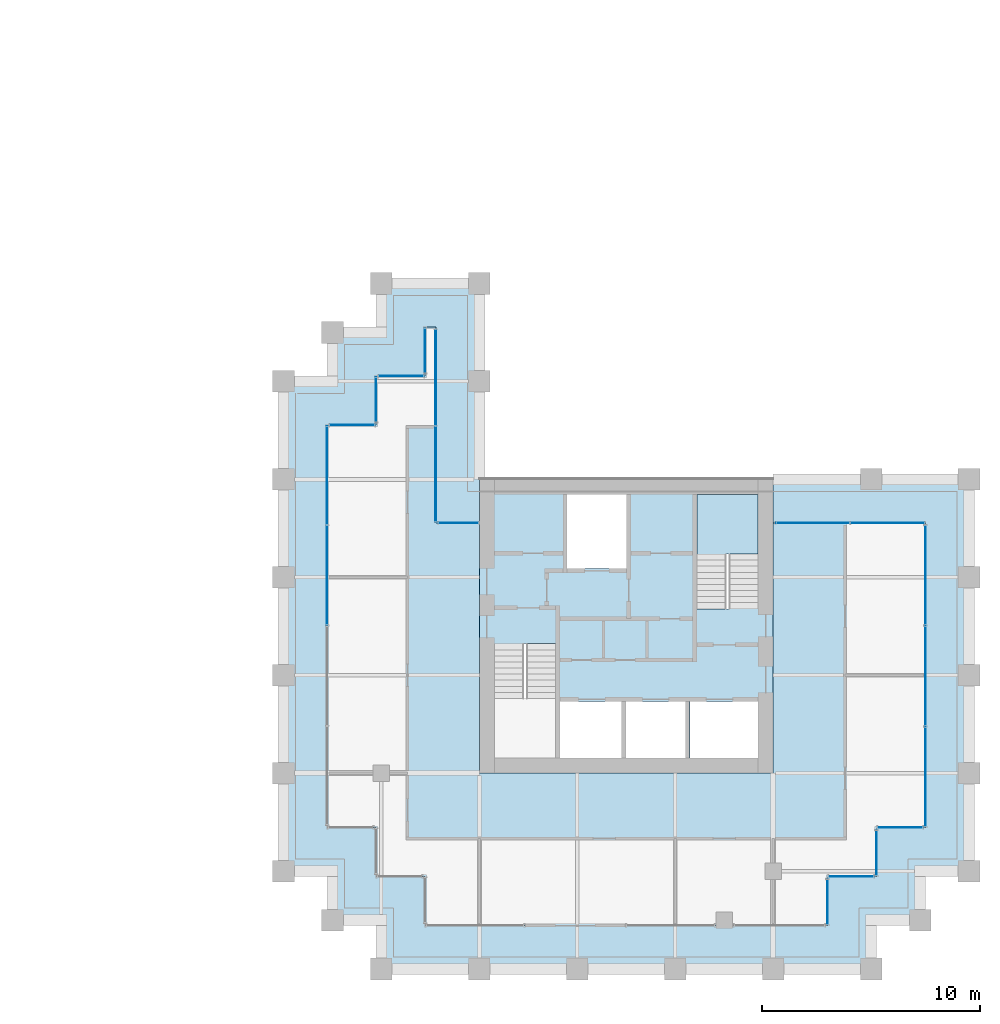
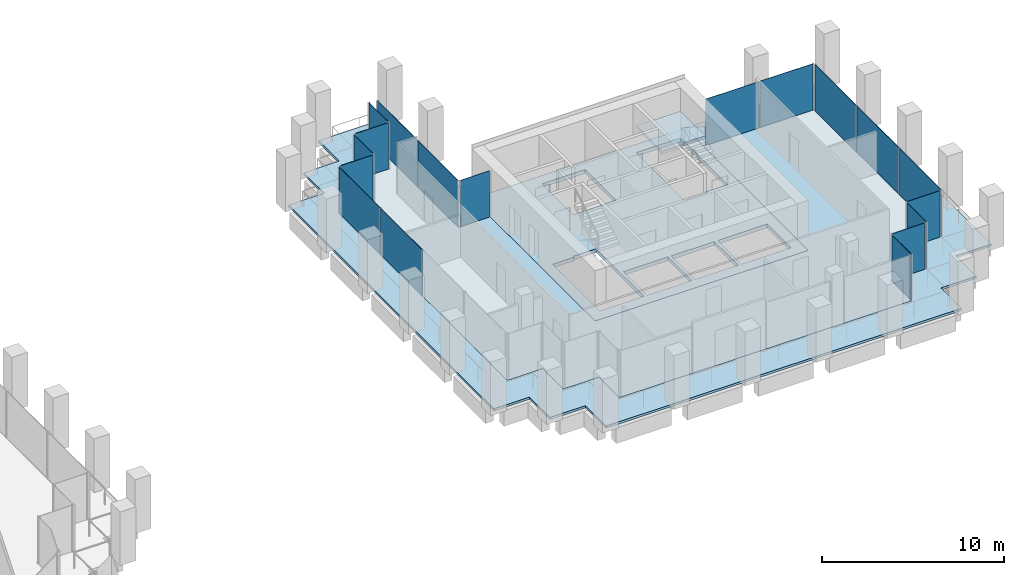
# One storey, part 40 of 46: 18 plates, 4 slabs, 14 elements without a shape of their own.
"""IFC4 building model written with IfcOpenShell, lengths in metres."""

from ifc_helpers import new_model, si_unit, direction, frame, origin, origin_2d, place, context, subcontext, project, spatial, polyline, rectangle, outline, extrude, material, layer, layer_set, type_object, element, aggregate, save


model = new_model("IFC4")

# Units and contexts
model_context = context("Model", 3, precision=1e-05, world=origin(), true_north=direction((0.0, 1.0)))
body_context = subcontext(model_context, "Body", "Model", "MODEL_VIEW")
ifc_project = project(units=[si_unit("LENGTHUNIT", "METRE"), si_unit("AREAUNIT", "SQUARE_METRE"), si_unit("VOLUMEUNIT", "CUBIC_METRE"), si_unit("PLANEANGLEUNIT", "RADIAN"), si_unit("MASSUNIT", "GRAM", prefix="KILO")], contexts=[model_context])

# Site, building, storey
site_placement = place(None, origin())
site = spatial("IfcSite", under=ifc_project, at=site_placement, CompositionType="ELEMENT")
building_placement = place(site_placement, origin())
building = spatial("IfcBuilding", under=site, at=building_placement, Name="Altepetl Exchange Towers", CompositionType="ELEMENT")
storey_placement = place(building_placement, frame((0.0, 0.0, 124.39990234375)))
storey = spatial("IfcBuildingStorey", under=building, at=storey_placement, Name="L30", CompositionType="ELEMENT", Elevation=124.39990234375)

# Slabs
ifc_material_1 = material(Name="Concrete C40/50", Category="concrete")
ifc_layer_1 = layer(ifc_material_1, 0.14990234375)
ifc_layer_set_1 = layer_set([ifc_layer_1], Name="Concrete C40/50")
slab_type_1 = type_object("IfcSlabType", Name="Composite floor slab 150", PredefinedType="FLOOR", material=ifc_layer_set_1)
slab_1_placement = place(storey_placement, frame((0.0, 0.0, -0.14990234375)))
element("IfcSlab", 1, at=slab_1_placement, inside=storey, type_object=slab_type_1, Name="slab:B:L30:strip0", PredefinedType="FLOOR", context=body_context, shape_type="SweptSolid", body=[
    extrude(outline(polyline([(98.75, 54.25), (98.75, 52.0), (96.5, 52.0), (96.5, 33.5), (98.75, 33.5), (98.75, 31.25), (101.0, 31.25), (101.0, 29.0), (119.5, 29.0), (119.5, 31.25), (121.75, 31.25), (121.75, 33.5), (124.0, 33.5), (124.0, 47.5), (117.0, 47.5), (117.0, 36.0), (103.5, 36.0), (103.5, 47.5), (101.5, 47.5), (101.5, 56.5), (101.0, 56.5), (101.0, 54.25), (98.75, 54.25)])), origin(), (0.0, 0.0, 1.0), 0.14990234375),
])
ifc_layer_2 = layer(ifc_material_1, 0.25)
ifc_layer_set_2 = layer_set([ifc_layer_2], Name="Concrete C40/50")
slab_type_2 = type_object("IfcSlabType", Name="Core floor slab 250", PredefinedType="FLOOR", material=ifc_layer_set_2)
slab_2_placement = place(storey_placement, frame((0.0, 0.0, -0.25)))
element("IfcSlab", 2, at=slab_2_placement, inside=storey, type_object=slab_type_2, Name="slab:B:L30:core0", PredefinedType="FLOOR", context=body_context, shape_type="SweptSolid", body=[
    extrude(outline(polyline([(103.5, 36.0), (117.0, 36.0), (117.0, 49.5), (103.5, 49.5), (103.5, 36.0)]), holes=[polyline([(107.199951171875, 36.699951171875), (107.199951171875, 39.300048828125), (110.032958984375, 39.300048828125), (110.032958984375, 36.699951171875), (107.199951171875, 36.699951171875)]), polyline([(110.23291015625, 39.300048828125), (112.967041015625, 39.300048828125), (112.967041015625, 36.699951171875), (110.23291015625, 36.699951171875), (110.23291015625, 39.300048828125)]), polyline([(113.1669921875, 39.300048828125), (116.300048828125, 39.300048828125), (116.300048828125, 36.699951171875), (113.1669921875, 36.699951171875), (113.1669921875, 39.300048828125)]), polyline([(107.0, 36.699951171875), (104.199951171875, 36.699951171875), (104.199951171875, 41.85009765625), (105.550048828125, 41.85009765625), (105.550048828125, 41.948974609375), (107.0, 41.948974609375), (107.0, 36.699951171875)]), polyline([(116.300048828125, 48.800048828125), (116.300048828125, 43.64990234375), (114.949951171875, 43.64990234375), (114.949951171875, 43.551025390625), (113.5, 43.551025390625), (113.5, 48.800048828125), (116.300048828125, 48.800048828125)]), polyline([(107.532958984375, 48.800048828125), (110.26708984375, 48.800048828125), (110.26708984375, 45.39990234375), (107.532958984375, 45.39990234375), (107.532958984375, 48.800048828125)])]), origin(), (0.0, 0.0, 1.0), 0.25),
])

# Curtain wall, plate
ifc_material_2 = material(Name="Aluminium 6063-T6 glazing", Category="aluminium")
curtain_wall_type = type_object("IfcCurtainWallType", Name="Loggia glazing system", PredefinedType="NOTDEFINED", material=ifc_material_2)
curtain_wall_1_placement = place(storey_placement, origin())
curtain_wall_1 = element("IfcCurtainWall", 3, at=curtain_wall_1_placement, inside=storey, type_object=curtain_wall_type, Name="CW1 run", PredefinedType="NOTDEFINED")
ifc_material_3 = material(Name="Glass 6-16-6 low emissivity", Category="glass")
ifc_layer_3 = layer(ifc_material_3, 0.028076171875)
ifc_layer_set_3 = layer_set([ifc_layer_3], Name="Glass 6-16-6 low emissivity")
plate_type = type_object("IfcPlateType", Name="Glass panel 28 double glazed", PredefinedType="CURTAIN_PANEL", material=ifc_layer_set_3)
plate_1_placement = place(storey_placement, frame((97.66259765625, 52.0, 0.0), z_axis=(0.0, 0.0, 1.0), x_axis=(-1.0, 0.0, 0.0)))
plate_1 = element("IfcPlate", 4, at=plate_1_placement, type_object=plate_type, Name="GP1 panel", PredefinedType="CURTAIN_PANEL", context=body_context, shape_type="SweptSolid", body=[
    extrude(rectangle(XDim=2.054931640625, YDim=0.028076171875, at=origin_2d()), origin(), (0.0, 0.0, 1.0), 3.10009765625),
])
aggregate(curtain_wall_1, [plate_1])

# Curtain wall, plates
curtain_wall_2_placement = place(storey_placement, origin())
curtain_wall_2 = element("IfcCurtainWall", 5, at=curtain_wall_2_placement, inside=storey, type_object=curtain_wall_type, Name="CW1 run", PredefinedType="NOTDEFINED")
plate_2_placement = place(storey_placement, frame((96.5, 49.681884765625, 0.0), z_axis=(0.0, 0.0, 1.0), x_axis=(0.0, -1.0, 0.0)))
plate_2 = element("IfcPlate", 6, at=plate_2_placement, type_object=plate_type, Name="GP1 panel", PredefinedType="CURTAIN_PANEL", context=body_context, shape_type="SweptSolid", body=[
    extrude(rectangle(XDim=4.516357421875, YDim=0.028076171875, at=origin_2d()), origin(), (0.0, 0.0, 1.0), 3.10009765625),
])
plate_3_placement = place(storey_placement, frame((96.5, 45.090576171875, 0.0), z_axis=(0.0, 0.0, 1.0), x_axis=(0.0, -1.0, 0.0)))
plate_3 = element("IfcPlate", 7, at=plate_3_placement, type_object=plate_type, Name="GP1 panel", PredefinedType="CURTAIN_PANEL", context=body_context, shape_type="SweptSolid", body=[
    extrude(rectangle(XDim=4.546142578125, YDim=0.028076171875, at=origin_2d()), origin(), (0.0, 0.0, 1.0), 3.10009765625),
])
aggregate(curtain_wall_2, [plate_2, plate_3])

# Curtain wall, plate
curtain_wall_3_placement = place(storey_placement, origin())
curtain_wall_3 = element("IfcCurtainWall", 8, at=curtain_wall_3_placement, inside=storey, type_object=curtain_wall_type, Name="CW1 run", PredefinedType="NOTDEFINED")
plate_4_placement = place(storey_placement, frame((119.5, 30.08740234375, 0.0), z_axis=(0.0, 0.0, 1.0), x_axis=(0.0, 1.0, 0.0)))
plate_4 = element("IfcPlate", 9, at=plate_4_placement, type_object=plate_type, Name="GP1 panel", PredefinedType="CURTAIN_PANEL", context=body_context, shape_type="SweptSolid", body=[
    extrude(rectangle(XDim=2.054931640625, YDim=0.028076171875, at=origin_2d()), origin(), (0.0, 0.0, 1.0), 3.10009765625),
])
aggregate(curtain_wall_3, [plate_4])

curtain_wall_4_placement = place(storey_placement, origin())
curtain_wall_4 = element("IfcCurtainWall", 10, at=curtain_wall_4_placement, inside=storey, type_object=curtain_wall_type, Name="CW1 run", PredefinedType="NOTDEFINED")
plate_5_placement = place(storey_placement, frame((120.58740234375, 31.25, 0.0)))
plate_5 = element("IfcPlate", 11, at=plate_5_placement, type_object=plate_type, Name="GP1 panel", PredefinedType="CURTAIN_PANEL", context=body_context, shape_type="SweptSolid", body=[
    extrude(rectangle(XDim=2.054931640625, YDim=0.028076171875, at=origin_2d()), origin(), (0.0, 0.0, 1.0), 3.10009765625),
])
aggregate(curtain_wall_4, [plate_5])

curtain_wall_5_placement = place(storey_placement, origin())
curtain_wall_5 = element("IfcCurtainWall", 12, at=curtain_wall_5_placement, inside=storey, type_object=curtain_wall_type, Name="CW1 run", PredefinedType="NOTDEFINED")
plate_6_placement = place(storey_placement, frame((121.75, 32.33740234375, 0.0), z_axis=(0.0, 0.0, 1.0), x_axis=(0.0, 1.0, 0.0)))
plate_6 = element("IfcPlate", 13, at=plate_6_placement, type_object=plate_type, Name="GP1 panel", PredefinedType="CURTAIN_PANEL", context=body_context, shape_type="SweptSolid", body=[
    extrude(rectangle(XDim=2.054931640625, YDim=0.028076171875, at=origin_2d()), origin(), (0.0, 0.0, 1.0), 3.10009765625),
])
aggregate(curtain_wall_5, [plate_6])

curtain_wall_6_placement = place(storey_placement, origin())
curtain_wall_6 = element("IfcCurtainWall", 14, at=curtain_wall_6_placement, inside=storey, type_object=curtain_wall_type, Name="CW1 run", PredefinedType="NOTDEFINED")
plate_7_placement = place(storey_placement, frame((122.83740234375, 33.5, 0.0)))
plate_7 = element("IfcPlate", 15, at=plate_7_placement, type_object=plate_type, Name="GP1 panel", PredefinedType="CURTAIN_PANEL", context=body_context, shape_type="SweptSolid", body=[
    extrude(rectangle(XDim=2.054931640625, YDim=0.028076171875, at=origin_2d()), origin(), (0.0, 0.0, 1.0), 3.10009765625),
])
aggregate(curtain_wall_6, [plate_7])

# Curtain wall, plates
curtain_wall_7_placement = place(storey_placement, origin())
curtain_wall_7 = element("IfcCurtainWall", 16, at=curtain_wall_7_placement, inside=storey, type_object=curtain_wall_type, Name="CW1 run", PredefinedType="NOTDEFINED")
plate_8_placement = place(storey_placement, frame((124.0, 35.8359375, 0.0), z_axis=(0.0, 0.0, 1.0), x_axis=(0.0, 1.0, 0.0)))
plate_8 = element("IfcPlate", 17, at=plate_8_placement, type_object=plate_type, Name="GP1 panel", PredefinedType="CURTAIN_PANEL", context=body_context, shape_type="SweptSolid", body=[
    extrude(rectangle(XDim=4.5517578125, YDim=0.028076171875, at=origin_2d()), origin(), (0.0, 0.0, 1.0), 3.10009765625),
])
plate_9_placement = place(storey_placement, frame((124.0, 40.46240234375, 0.0), z_axis=(0.0, 0.0, 1.0), x_axis=(0.0, 1.0, 0.0)))
plate_9 = element("IfcPlate", 18, at=plate_9_placement, type_object=plate_type, Name="GP1 panel", PredefinedType="CURTAIN_PANEL", context=body_context, shape_type="SweptSolid", body=[
    extrude(rectangle(XDim=4.581787109375, YDim=0.028076171875, at=origin_2d()), origin(), (0.0, 0.0, 1.0), 3.10009765625),
])
plate_10_placement = place(storey_placement, frame((124.0, 45.089111328125, 0.0), z_axis=(0.0, 0.0, 1.0), x_axis=(0.0, 1.0, 0.0)))
plate_10 = element("IfcPlate", 19, at=plate_10_placement, type_object=plate_type, Name="GP1 panel", PredefinedType="CURTAIN_PANEL", context=body_context, shape_type="SweptSolid", body=[
    extrude(rectangle(XDim=4.5517578125, YDim=0.028076171875, at=origin_2d()), origin(), (0.0, 0.0, 1.0), 3.10009765625),
])
aggregate(curtain_wall_7, [plate_8, plate_9, plate_10])

curtain_wall_8_placement = place(storey_placement, origin())
curtain_wall_8 = element("IfcCurtainWall", 20, at=curtain_wall_8_placement, inside=storey, type_object=curtain_wall_type, Name="CW1 run", PredefinedType="NOTDEFINED")
plate_11_placement = place(storey_placement, frame((122.253662109375, 47.5, 0.0), z_axis=(0.0, 0.0, 1.0), x_axis=(-1.0, 0.0, 0.0)))
plate_11 = element("IfcPlate", 21, at=plate_11_placement, type_object=plate_type, Name="GP1 panel", PredefinedType="CURTAIN_PANEL", context=body_context, shape_type="SweptSolid", body=[
    extrude(rectangle(XDim=3.37255859375, YDim=0.028076171875, at=origin_2d()), origin(), (0.0, 0.0, 1.0), 3.10009765625),
])
plate_12_placement = place(storey_placement, frame((118.8212890625, 47.5, 0.0), z_axis=(0.0, 0.0, 1.0), x_axis=(-1.0, 0.0, 0.0)))
plate_12 = element("IfcPlate", 22, at=plate_12_placement, type_object=plate_type, Name="GP1 panel", PredefinedType="CURTAIN_PANEL", context=body_context, shape_type="SweptSolid", body=[
    extrude(rectangle(XDim=3.37255859375, YDim=0.028076171875, at=origin_2d()), origin(), (0.0, 0.0, 1.0), 3.10009765625),
])
aggregate(curtain_wall_8, [plate_11, plate_12])

# Curtain wall, plate
curtain_wall_9_placement = place(storey_placement, origin())
curtain_wall_9 = element("IfcCurtainWall", 23, at=curtain_wall_9_placement, inside=storey, type_object=curtain_wall_type, Name="CW1 run", PredefinedType="NOTDEFINED")
plate_13_placement = place(storey_placement, frame((102.53759765625, 47.5, 0.0), z_axis=(0.0, 0.0, 1.0), x_axis=(-1.0, 0.0, 0.0)))
plate_13 = element("IfcPlate", 24, at=plate_13_placement, type_object=plate_type, Name="GP1 panel", PredefinedType="CURTAIN_PANEL", context=body_context, shape_type="SweptSolid", body=[
    extrude(rectangle(XDim=1.804931640625, YDim=0.028076171875, at=origin_2d()), origin(), (0.0, 0.0, 1.0), 3.10009765625),
])
aggregate(curtain_wall_9, [plate_13])

# Curtain wall, plates
curtain_wall_10_placement = place(storey_placement, origin())
curtain_wall_10 = element("IfcCurtainWall", 25, at=curtain_wall_10_placement, inside=storey, type_object=curtain_wall_type, Name="CW1 run", PredefinedType="NOTDEFINED")
plate_14_placement = place(storey_placement, frame((101.5, 49.746337890625, 0.0), z_axis=(0.0, 0.0, 1.0), x_axis=(0.0, 1.0, 0.0)))
plate_14 = element("IfcPlate", 26, at=plate_14_placement, type_object=plate_type, Name="GP1 panel", PredefinedType="CURTAIN_PANEL", context=body_context, shape_type="SweptSolid", body=[
    extrude(rectangle(XDim=4.37255859375, YDim=0.028076171875, at=origin_2d()), origin(), (0.0, 0.0, 1.0), 3.10009765625),
])
plate_15_placement = place(storey_placement, frame((101.5, 54.1787109375, 0.0), z_axis=(0.0, 0.0, 1.0), x_axis=(0.0, 1.0, 0.0)))
plate_15 = element("IfcPlate", 27, at=plate_15_placement, type_object=plate_type, Name="GP1 panel", PredefinedType="CURTAIN_PANEL", context=body_context, shape_type="SweptSolid", body=[
    extrude(rectangle(XDim=4.37255859375, YDim=0.028076171875, at=origin_2d()), origin(), (0.0, 0.0, 1.0), 3.10009765625),
])
aggregate(curtain_wall_10, [plate_14, plate_15])

# Curtain wall, plate
curtain_wall_11_placement = place(storey_placement, origin())
curtain_wall_11 = element("IfcCurtainWall", 28, at=curtain_wall_11_placement, inside=storey, type_object=curtain_wall_type, Name="CW1 run", PredefinedType="NOTDEFINED")
plate_16_placement = place(storey_placement, frame((101.0, 55.41259765625, 0.0), z_axis=(0.0, 0.0, 1.0), x_axis=(0.0, -1.0, 0.0)))
plate_16 = element("IfcPlate", 29, at=plate_16_placement, type_object=plate_type, Name="GP1 panel", PredefinedType="CURTAIN_PANEL", context=body_context, shape_type="SweptSolid", body=[
    extrude(rectangle(XDim=2.054931640625, YDim=0.028076171875, at=origin_2d()), origin(), (0.0, 0.0, 1.0), 3.10009765625),
])
aggregate(curtain_wall_11, [plate_16])

curtain_wall_12_placement = place(storey_placement, origin())
curtain_wall_12 = element("IfcCurtainWall", 30, at=curtain_wall_12_placement, inside=storey, type_object=curtain_wall_type, Name="CW1 run", PredefinedType="NOTDEFINED")
plate_17_placement = place(storey_placement, frame((99.91259765625, 54.25, 0.0), z_axis=(0.0, 0.0, 1.0), x_axis=(-1.0, 0.0, 0.0)))
plate_17 = element("IfcPlate", 31, at=plate_17_placement, type_object=plate_type, Name="GP1 panel", PredefinedType="CURTAIN_PANEL", context=body_context, shape_type="SweptSolid", body=[
    extrude(rectangle(XDim=2.054931640625, YDim=0.028076171875, at=origin_2d()), origin(), (0.0, 0.0, 1.0), 3.10009765625),
])
aggregate(curtain_wall_12, [plate_17])

curtain_wall_13_placement = place(storey_placement, origin())
curtain_wall_13 = element("IfcCurtainWall", 32, at=curtain_wall_13_placement, inside=storey, type_object=curtain_wall_type, Name="CW1 run", PredefinedType="NOTDEFINED")
plate_18_placement = place(storey_placement, frame((98.75, 53.16259765625, 0.0), z_axis=(0.0, 0.0, 1.0), x_axis=(0.0, -1.0, 0.0)))
plate_18 = element("IfcPlate", 33, at=plate_18_placement, type_object=plate_type, Name="GP1 panel", PredefinedType="CURTAIN_PANEL", context=body_context, shape_type="SweptSolid", body=[
    extrude(rectangle(XDim=2.054931640625, YDim=0.028076171875, at=origin_2d()), origin(), (0.0, 0.0, 1.0), 3.10009765625),
])
aggregate(curtain_wall_13, [plate_18])

# Slab
ifc_layer_4 = layer(ifc_material_1, 0.14990234375)
ifc_layer_set_4 = layer_set([ifc_layer_4], Name="Concrete C40/50")
slab_type_3 = type_object("IfcSlabType", Name="Loggia slab 150", PredefinedType="FLOOR", material=ifc_layer_set_4)
slab_3_placement = place(storey_placement, frame((0.0, 0.0, -0.14990234375)))
element("IfcSlab", 34, at=slab_3_placement, inside=storey, type_object=slab_type_3, Name="slab:B:L30:loggia0", PredefinedType="FLOOR", context=body_context, shape_type="SweptSolid", body=[
    extrude(outline(polyline([(96.75, 54.0), (94.5, 54.0), (94.5, 36.0), (94.5, 31.5), (96.75, 31.5), (96.75, 29.25), (99.0, 29.25), (99.0, 27.0), (117.0, 27.0), (121.5, 27.0), (121.5, 29.25), (123.75, 29.25), (123.75, 31.5), (126.0, 31.5), (126.0, 49.5), (117.0, 49.5), (117.0, 47.5), (124.0, 47.5), (124.0, 33.5), (121.75, 33.5), (121.75, 31.25), (119.5, 31.25), (119.5, 29.0), (101.0, 29.0), (101.0, 31.25), (98.75, 31.25), (98.75, 33.5), (96.5, 33.5), (96.5, 52.0), (98.75, 52.0), (98.75, 54.25), (101.0, 54.25), (101.0, 56.5), (101.5, 56.5), (101.5, 47.5), (103.5, 47.5), (103.5, 49.5), (103.5, 58.5), (99.0, 58.5), (99.0, 56.25), (96.75, 56.25), (96.75, 54.0)])), origin(), (0.0, 0.0, 1.0), 0.14990234375),
])

# Stair, slab
stair_type = type_object("IfcStairType", Name="Exit stair 1350 flights dogleg", PredefinedType="HALF_TURN_STAIR", material=ifc_material_1)
stair_placement = place(storey_placement, origin())
stair = element("IfcStair", 35, at=stair_placement, inside=storey, type_object=stair_type, Name="Exit stair 2", PredefinedType="HALF_TURN_STAIR")
ifc_layer_5 = layer(ifc_material_1, 0.199951171875)
ifc_layer_set_5 = layer_set([ifc_layer_5], Name="Concrete C40/50")
slab_type_4 = type_object("IfcSlabType", Name="Stair landing 200 reinforced concrete", PredefinedType="LANDING", material=ifc_layer_set_5)
slab_4_placement = place(storey_placement, frame((0.0, 0.0, 1.60009765625)))
slab_4 = element("IfcSlab", 36, at=slab_4_placement, type_object=slab_type_4, Name="ST-B2d landing 1", PredefinedType="LANDING", context=body_context, shape_type="SweptSolid", body=[
    extrude(outline(polyline([(114.85009765625, 45.969970703125), (113.5, 45.969970703125), (113.5, 46.070068359375), (113.5, 48.800048828125), (116.300048828125, 48.800048828125), (116.300048828125, 46.070068359375), (116.300048828125, 46.0693359375), (114.949951171875, 46.0693359375), (114.949951171875, 46.070068359375), (114.85009765625, 46.070068359375), (114.85009765625, 45.969970703125)])), origin(), (0.0, 0.0, 1.0), 0.199951171875),
])
aggregate(stair, [slab_4])

save(model, "model.ifc")
